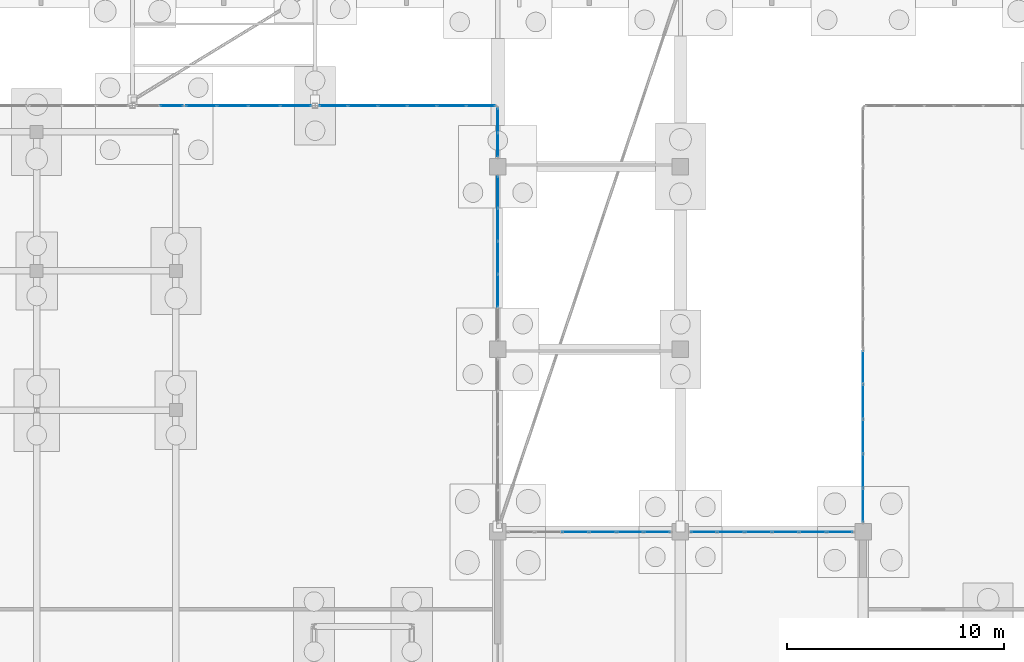
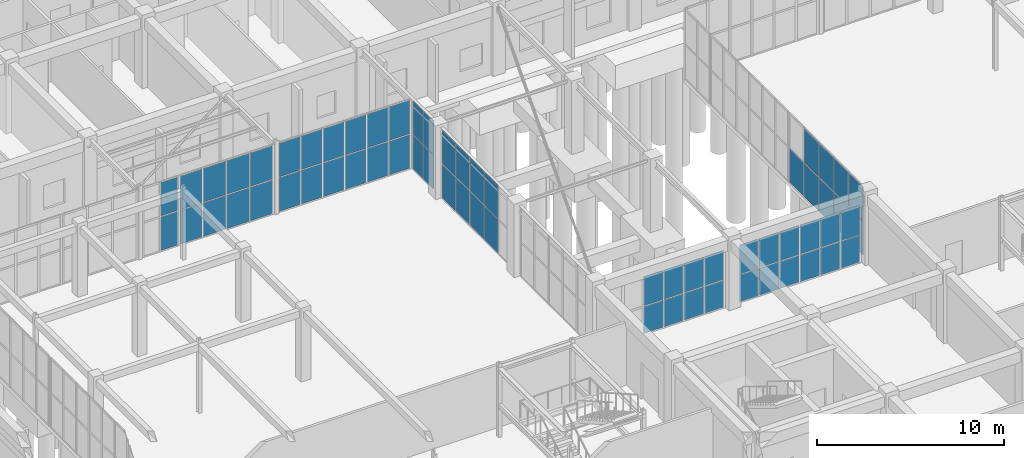
# One storey, part 141 of 192: 63 plates, 8 elements without a shape of their own.
"""IFC4 building model written with IfcOpenShell, lengths in metres."""

from ifc_helpers import new_model, si_unit, direction, frame, origin, origin_2d, place, context, subcontext, project, spatial, rectangle, extrude, material, layer, layer_set, type_object, element, aggregate, save


model = new_model("IFC4")

# Units and contexts
model_context = context("Model", 3, precision=1e-05, world=origin(), true_north=direction((0.0, 1.0)))
body_context = subcontext(model_context, "Body", "Model", "MODEL_VIEW")
ifc_project = project(units=[si_unit("LENGTHUNIT", "METRE"), si_unit("AREAUNIT", "SQUARE_METRE"), si_unit("VOLUMEUNIT", "CUBIC_METRE"), si_unit("PLANEANGLEUNIT", "RADIAN"), si_unit("MASSUNIT", "GRAM", prefix="KILO")], contexts=[model_context])

# Site, building, storey
site_placement = place(None, origin())
site = spatial("IfcSite", under=ifc_project, at=site_placement, CompositionType="ELEMENT")
building_placement = place(site_placement, origin())
building = spatial("IfcBuilding", under=site, at=building_placement, Name="Trelvath General Hospital", CompositionType="ELEMENT")
storey_placement = place(building_placement, origin())
storey = spatial("IfcBuildingStorey", under=building, at=storey_placement, Name="L00", CompositionType="ELEMENT", Elevation=0.0)

# Curtain wall, plates
ifc_material_1 = material(Name="Anodised aluminium and low-E glass", Category="aluminium")
ifc_layer_1 = layer(ifc_material_1, 0.139892578125)
ifc_layer_set_1 = layer_set([ifc_layer_1], Name="Anodised aluminium and low-E glass")
curtain_wall_type_1 = type_object("IfcCurtainWallType", Name="CW CrystalCube 223 456 14", PredefinedType="USERDEFINED", material=ifc_layer_set_1)
curtain_wall_1_placement = place(storey_placement, origin())
curtain_wall_1 = element("IfcCurtainWall", 1, at=curtain_wall_1_placement, inside=storey, type_object=curtain_wall_type_1, Name="Crystal Cube Curtain Wall CUBE-W-T0 N3 L00", ObjectType="Unitised Glazed Curtain Wall", PredefinedType="USERDEFINED")
ifc_material_2 = material(Name="Low-E laminated glass", Category="glass")
ifc_layer_2 = layer(ifc_material_2, 0.028076171875)
ifc_layer_set_2 = layer_set([ifc_layer_2], Name="Low-E laminated glass")
plate_type_1 = type_object("IfcPlateType", Name="CurtainPanel Glass28", PredefinedType="CURTAIN_PANEL", material=ifc_layer_set_2)
plate_1_placement = place(storey_placement, frame((60.607421875, 86.800048828125, 0.06005859375), z_axis=(0.0, 0.0, 1.0), x_axis=(1.0, 0.0, 0.0)))
plate_1 = element("IfcPlate", 2, at=plate_1_placement, type_object=plate_type_1, Name="CW-091 panel 2.1", PredefinedType="CURTAIN_PANEL", context=body_context, shape_type="SweptSolid", body=[
    extrude(rectangle(XDim=1.02490234375, YDim=0.028076171875, at=origin_2d()), origin(), (0.0, 0.0, 1.0), 2.18994140625),
])
plate_2_placement = place(storey_placement, frame((60.607421875, 86.800048828125, 2.31005859375), z_axis=(0.0, 0.0, 1.0), x_axis=(1.0, 0.0, 0.0)))
plate_2 = element("IfcPlate", 3, at=plate_2_placement, type_object=plate_type_1, Name="CW-091 panel 2.2", PredefinedType="CURTAIN_PANEL", context=body_context, shape_type="SweptSolid", body=[
    extrude(rectangle(XDim=1.02490234375, YDim=0.028076171875, at=origin_2d()), origin(), (0.0, 0.0, 1.0), 2.18994140625),
])
aggregate(curtain_wall_1, [plate_1, plate_2])

ifc_material_3 = material(Name="Anodised aluminium and low-E glass", Category="aluminium")
ifc_layer_3 = layer(ifc_material_3, 0.139892578125)
ifc_layer_set_3 = layer_set([ifc_layer_3], Name="Anodised aluminium and low-E glass")
curtain_wall_type_2 = type_object("IfcCurtainWallType", Name="CW CrystalCube 583 456 14", PredefinedType="USERDEFINED", material=ifc_layer_set_3)
curtain_wall_2_placement = place(storey_placement, origin())
curtain_wall_2 = element("IfcCurtainWall", 4, at=curtain_wall_2_placement, inside=storey, type_object=curtain_wall_type_2, Name="Crystal Cube Curtain Wall CUBE-W-T0 N4 L00", ObjectType="Unitised Glazed Curtain Wall", PredefinedType="USERDEFINED")
plate_3_placement = place(storey_placement, frame((61.9638671875, 86.800048828125, 0.06005859375), z_axis=(0.0, 0.0, 1.0), x_axis=(1.0, 0.0, 0.0)))
plate_3 = element("IfcPlate", 5, at=plate_3_placement, type_object=plate_type_1, Name="CW-092 panel 1.1", PredefinedType="CURTAIN_PANEL", context=body_context, shape_type="SweptSolid", body=[
    extrude(rectangle(XDim=1.367431640625, YDim=0.028076171875, at=origin_2d()), origin(), (0.0, 0.0, 1.0), 2.18994140625),
])
plate_4_placement = place(storey_placement, frame((61.9638671875, 86.800048828125, 2.31005859375), z_axis=(0.0, 0.0, 1.0), x_axis=(1.0, 0.0, 0.0)))
plate_4 = element("IfcPlate", 6, at=plate_4_placement, type_object=plate_type_1, Name="CW-092 panel 1.2", PredefinedType="CURTAIN_PANEL", context=body_context, shape_type="SweptSolid", body=[
    extrude(rectangle(XDim=1.367431640625, YDim=0.028076171875, at=origin_2d()), origin(), (0.0, 0.0, 1.0), 2.18994140625),
])
plate_5_placement = place(storey_placement, frame((63.40625, 86.800048828125, 0.06005859375), z_axis=(0.0, 0.0, 1.0), x_axis=(1.0, 0.0, 0.0)))
plate_5 = element("IfcPlate", 7, at=plate_5_placement, type_object=plate_type_1, Name="CW-092 panel 2.1", PredefinedType="CURTAIN_PANEL", context=body_context, shape_type="SweptSolid", body=[
    extrude(rectangle(XDim=1.3974609375, YDim=0.028076171875, at=origin_2d()), origin(), (0.0, 0.0, 1.0), 2.18994140625),
])
plate_6_placement = place(storey_placement, frame((63.40625, 86.800048828125, 2.31005859375), z_axis=(0.0, 0.0, 1.0), x_axis=(1.0, 0.0, 0.0)))
plate_6 = element("IfcPlate", 8, at=plate_6_placement, type_object=plate_type_1, Name="CW-092 panel 2.2", PredefinedType="CURTAIN_PANEL", context=body_context, shape_type="SweptSolid", body=[
    extrude(rectangle(XDim=1.3974609375, YDim=0.028076171875, at=origin_2d()), origin(), (0.0, 0.0, 1.0), 2.18994140625),
])
plate_7_placement = place(storey_placement, frame((64.86376953125, 86.800048828125, 0.06005859375), z_axis=(0.0, 0.0, 1.0), x_axis=(1.0, 0.0, 0.0)))
plate_7 = element("IfcPlate", 9, at=plate_7_placement, type_object=plate_type_1, Name="CW-092 panel 3.1", PredefinedType="CURTAIN_PANEL", context=body_context, shape_type="SweptSolid", body=[
    extrude(rectangle(XDim=1.3974609375, YDim=0.028076171875, at=origin_2d()), origin(), (0.0, 0.0, 1.0), 2.18994140625),
])
plate_8_placement = place(storey_placement, frame((64.86376953125, 86.800048828125, 2.31005859375), z_axis=(0.0, 0.0, 1.0), x_axis=(1.0, 0.0, 0.0)))
plate_8 = element("IfcPlate", 10, at=plate_8_placement, type_object=plate_type_1, Name="CW-092 panel 3.2", PredefinedType="CURTAIN_PANEL", context=body_context, shape_type="SweptSolid", body=[
    extrude(rectangle(XDim=1.3974609375, YDim=0.028076171875, at=origin_2d()), origin(), (0.0, 0.0, 1.0), 2.18994140625),
])
plate_9_placement = place(storey_placement, frame((66.30615234375, 86.800048828125, 0.06005859375), z_axis=(0.0, 0.0, 1.0), x_axis=(1.0, 0.0, 0.0)))
plate_9 = element("IfcPlate", 11, at=plate_9_placement, type_object=plate_type_1, Name="CW-092 panel 4.1", PredefinedType="CURTAIN_PANEL", context=body_context, shape_type="SweptSolid", body=[
    extrude(rectangle(XDim=1.367431640625, YDim=0.028076171875, at=origin_2d()), origin(), (0.0, 0.0, 1.0), 2.18994140625),
])
plate_10_placement = place(storey_placement, frame((66.30615234375, 86.800048828125, 2.31005859375), z_axis=(0.0, 0.0, 1.0), x_axis=(1.0, 0.0, 0.0)))
plate_10 = element("IfcPlate", 12, at=plate_10_placement, type_object=plate_type_1, Name="CW-092 panel 4.2", PredefinedType="CURTAIN_PANEL", context=body_context, shape_type="SweptSolid", body=[
    extrude(rectangle(XDim=1.367431640625, YDim=0.028076171875, at=origin_2d()), origin(), (0.0, 0.0, 1.0), 2.18994140625),
])
aggregate(curtain_wall_2, [plate_3, plate_4, plate_5, plate_6, plate_7, plate_8, plate_9, plate_10])

ifc_material_4 = material(Name="Anodised aluminium and low-E glass", Category="aluminium")
ifc_layer_4 = layer(ifc_material_4, 0.139892578125)
ifc_layer_set_4 = layer_set([ifc_layer_4], Name="Anodised aluminium and low-E glass")
curtain_wall_type_3 = type_object("IfcCurtainWallType", Name="CW CrystalCube 817 456 14", PredefinedType="USERDEFINED", material=ifc_layer_set_4)
curtain_wall_3_placement = place(storey_placement, origin())
curtain_wall_3 = element("IfcCurtainWall", 13, at=curtain_wall_3_placement, inside=storey, type_object=curtain_wall_type_3, Name="Crystal Cube Curtain Wall CUBE-W-T0 N5 L00", ObjectType="Unitised Glazed Curtain Wall", PredefinedType="USERDEFINED")
plate_11_placement = place(storey_placement, frame((68.0458984375, 86.800048828125, 0.06005859375), z_axis=(0.0, 0.0, 1.0), x_axis=(1.0, 0.0, 0.0)))
plate_11 = element("IfcPlate", 14, at=plate_11_placement, type_object=plate_type_1, Name="CW-093 panel 1.1", PredefinedType="CURTAIN_PANEL", context=body_context, shape_type="SweptSolid", body=[
    extrude(rectangle(XDim=1.271728515625, YDim=0.028076171875, at=origin_2d()), origin(), (0.0, 0.0, 1.0), 2.18994140625),
])
plate_12_placement = place(storey_placement, frame((68.0458984375, 86.800048828125, 2.31005859375), z_axis=(0.0, 0.0, 1.0), x_axis=(1.0, 0.0, 0.0)))
plate_12 = element("IfcPlate", 15, at=plate_12_placement, type_object=plate_type_1, Name="CW-093 panel 1.2", PredefinedType="CURTAIN_PANEL", context=body_context, shape_type="SweptSolid", body=[
    extrude(rectangle(XDim=1.271728515625, YDim=0.028076171875, at=origin_2d()), origin(), (0.0, 0.0, 1.0), 2.18994140625),
])
plate_13_placement = place(storey_placement, frame((69.392578125, 86.800048828125, 0.06005859375), z_axis=(0.0, 0.0, 1.0), x_axis=(1.0, 0.0, 0.0)))
plate_13 = element("IfcPlate", 16, at=plate_13_placement, type_object=plate_type_1, Name="CW-093 panel 2.1", PredefinedType="CURTAIN_PANEL", context=body_context, shape_type="SweptSolid", body=[
    extrude(rectangle(XDim=1.3017578125, YDim=0.028076171875, at=origin_2d()), origin(), (0.0, 0.0, 1.0), 2.18994140625),
])
plate_14_placement = place(storey_placement, frame((69.392578125, 86.800048828125, 2.31005859375), z_axis=(0.0, 0.0, 1.0), x_axis=(1.0, 0.0, 0.0)))
plate_14 = element("IfcPlate", 17, at=plate_14_placement, type_object=plate_type_1, Name="CW-093 panel 2.2", PredefinedType="CURTAIN_PANEL", context=body_context, shape_type="SweptSolid", body=[
    extrude(rectangle(XDim=1.3017578125, YDim=0.028076171875, at=origin_2d()), origin(), (0.0, 0.0, 1.0), 2.18994140625),
])
plate_15_placement = place(storey_placement, frame((70.754150390625, 86.800048828125, 0.06005859375), z_axis=(0.0, 0.0, 1.0), x_axis=(1.0, 0.0, 0.0)))
plate_15 = element("IfcPlate", 18, at=plate_15_placement, type_object=plate_type_1, Name="CW-093 panel 3.1", PredefinedType="CURTAIN_PANEL", context=body_context, shape_type="SweptSolid", body=[
    extrude(rectangle(XDim=1.3017578125, YDim=0.028076171875, at=origin_2d()), origin(), (0.0, 0.0, 1.0), 2.18994140625),
])
plate_16_placement = place(storey_placement, frame((70.754150390625, 86.800048828125, 2.31005859375), z_axis=(0.0, 0.0, 1.0), x_axis=(1.0, 0.0, 0.0)))
plate_16 = element("IfcPlate", 19, at=plate_16_placement, type_object=plate_type_1, Name="CW-093 panel 3.2", PredefinedType="CURTAIN_PANEL", context=body_context, shape_type="SweptSolid", body=[
    extrude(rectangle(XDim=1.3017578125, YDim=0.028076171875, at=origin_2d()), origin(), (0.0, 0.0, 1.0), 2.18994140625),
])
plate_17_placement = place(storey_placement, frame((72.11572265625, 86.800048828125, 0.06005859375), z_axis=(0.0, 0.0, 1.0), x_axis=(1.0, 0.0, 0.0)))
plate_17 = element("IfcPlate", 20, at=plate_17_placement, type_object=plate_type_1, Name="CW-093 panel 4.1", PredefinedType="CURTAIN_PANEL", context=body_context, shape_type="SweptSolid", body=[
    extrude(rectangle(XDim=1.3017578125, YDim=0.028076171875, at=origin_2d()), origin(), (0.0, 0.0, 1.0), 2.18994140625),
])
plate_18_placement = place(storey_placement, frame((72.11572265625, 86.800048828125, 2.31005859375), z_axis=(0.0, 0.0, 1.0), x_axis=(1.0, 0.0, 0.0)))
plate_18 = element("IfcPlate", 21, at=plate_18_placement, type_object=plate_type_1, Name="CW-093 panel 4.2", PredefinedType="CURTAIN_PANEL", context=body_context, shape_type="SweptSolid", body=[
    extrude(rectangle(XDim=1.3017578125, YDim=0.028076171875, at=origin_2d()), origin(), (0.0, 0.0, 1.0), 2.18994140625),
])
plate_19_placement = place(storey_placement, frame((73.4775390625, 86.800048828125, 0.06005859375), z_axis=(0.0, 0.0, 1.0), x_axis=(1.0, 0.0, 0.0)))
plate_19 = element("IfcPlate", 22, at=plate_19_placement, type_object=plate_type_1, Name="CW-093 panel 5.1", PredefinedType="CURTAIN_PANEL", context=body_context, shape_type="SweptSolid", body=[
    extrude(rectangle(XDim=1.3017578125, YDim=0.028076171875, at=origin_2d()), origin(), (0.0, 0.0, 1.0), 2.18994140625),
])
plate_20_placement = place(storey_placement, frame((73.4775390625, 86.800048828125, 2.31005859375), z_axis=(0.0, 0.0, 1.0), x_axis=(1.0, 0.0, 0.0)))
plate_20 = element("IfcPlate", 23, at=plate_20_placement, type_object=plate_type_1, Name="CW-093 panel 5.2", PredefinedType="CURTAIN_PANEL", context=body_context, shape_type="SweptSolid", body=[
    extrude(rectangle(XDim=1.3017578125, YDim=0.028076171875, at=origin_2d()), origin(), (0.0, 0.0, 1.0), 2.18994140625),
])
plate_21_placement = place(storey_placement, frame((74.82421875, 86.800048828125, 0.06005859375), z_axis=(0.0, 0.0, 1.0), x_axis=(1.0, 0.0, 0.0)))
plate_21 = element("IfcPlate", 24, at=plate_21_placement, type_object=plate_type_1, Name="CW-093 panel 6.1", PredefinedType="CURTAIN_PANEL", context=body_context, shape_type="SweptSolid", body=[
    extrude(rectangle(XDim=1.271728515625, YDim=0.028076171875, at=origin_2d()), origin(), (0.0, 0.0, 1.0), 2.18994140625),
])
plate_22_placement = place(storey_placement, frame((74.82421875, 86.800048828125, 2.31005859375), z_axis=(0.0, 0.0, 1.0), x_axis=(1.0, 0.0, 0.0)))
plate_22 = element("IfcPlate", 25, at=plate_22_placement, type_object=plate_type_1, Name="CW-093 panel 6.2", PredefinedType="CURTAIN_PANEL", context=body_context, shape_type="SweptSolid", body=[
    extrude(rectangle(XDim=1.271728515625, YDim=0.028076171875, at=origin_2d()), origin(), (0.0, 0.0, 1.0), 2.18994140625),
])
aggregate(curtain_wall_3, [plate_11, plate_12, plate_13, plate_14, plate_15, plate_16, plate_17, plate_18, plate_19, plate_20, plate_21, plate_22])

ifc_material_5 = material(Name="Anodised aluminium and low-E glass", Category="aluminium")
ifc_layer_5 = layer(ifc_material_5, 0.139892578125)
ifc_layer_set_5 = layer_set([ifc_layer_5], Name="Anodised aluminium and low-E glass")
curtain_wall_type_4 = type_object("IfcCurtainWallType", Name="CW CrystalCube 758 456 14", PredefinedType="USERDEFINED", material=ifc_layer_set_5)
curtain_wall_4_placement = place(storey_placement, origin())
curtain_wall_4 = element("IfcCurtainWall", 26, at=curtain_wall_4_placement, inside=storey, type_object=curtain_wall_type_4, Name="Crystal Cube Curtain Wall CUBE-W-T0 E6 L00", ObjectType="Unitised Glazed Curtain Wall", PredefinedType="USERDEFINED")
plate_23_placement = place(storey_placement, frame((75.60009765625, 82.81689453125, 0.06005859375), z_axis=(0.0, 0.0, 1.0), x_axis=(0.0, -1.0, 0.0)))
plate_23 = element("IfcPlate", 27, at=plate_23_placement, type_object=plate_type_1, Name="CW-103 panel 1.1", PredefinedType="CURTAIN_PANEL", context=body_context, shape_type="SweptSolid", body=[
    extrude(rectangle(XDim=1.426025390625, YDim=0.028076171875, at=origin_2d()), origin(), (0.0, 0.0, 1.0), 2.18994140625),
])
plate_24_placement = place(storey_placement, frame((75.60009765625, 82.81689453125, 2.31005859375), z_axis=(0.0, 0.0, 1.0), x_axis=(0.0, -1.0, 0.0)))
plate_24 = element("IfcPlate", 28, at=plate_24_placement, type_object=plate_type_1, Name="CW-103 panel 1.2", PredefinedType="CURTAIN_PANEL", context=body_context, shape_type="SweptSolid", body=[
    extrude(rectangle(XDim=1.426025390625, YDim=0.028076171875, at=origin_2d()), origin(), (0.0, 0.0, 1.0), 2.18994140625),
])
plate_25_placement = place(storey_placement, frame((75.60009765625, 81.31591796875, 0.06005859375), z_axis=(0.0, 0.0, 1.0), x_axis=(0.0, -1.0, 0.0)))
plate_25 = element("IfcPlate", 29, at=plate_25_placement, type_object=plate_type_1, Name="CW-103 panel 2.1", PredefinedType="CURTAIN_PANEL", context=body_context, shape_type="SweptSolid", body=[
    extrude(rectangle(XDim=1.4560546875, YDim=0.028076171875, at=origin_2d()), origin(), (0.0, 0.0, 1.0), 2.18994140625),
])
plate_26_placement = place(storey_placement, frame((75.60009765625, 81.31591796875, 2.31005859375), z_axis=(0.0, 0.0, 1.0), x_axis=(0.0, -1.0, 0.0)))
plate_26 = element("IfcPlate", 30, at=plate_26_placement, type_object=plate_type_1, Name="CW-103 panel 2.2", PredefinedType="CURTAIN_PANEL", context=body_context, shape_type="SweptSolid", body=[
    extrude(rectangle(XDim=1.4560546875, YDim=0.028076171875, at=origin_2d()), origin(), (0.0, 0.0, 1.0), 2.18994140625),
])
plate_27_placement = place(storey_placement, frame((75.60009765625, 79.800048828125, 0.06005859375), z_axis=(0.0, 0.0, 1.0), x_axis=(0.0, -1.0, 0.0)))
plate_27 = element("IfcPlate", 31, at=plate_27_placement, type_object=plate_type_1, Name="CW-103 panel 3.1", PredefinedType="CURTAIN_PANEL", context=body_context, shape_type="SweptSolid", body=[
    extrude(rectangle(XDim=1.4560546875, YDim=0.028076171875, at=origin_2d()), origin(), (0.0, 0.0, 1.0), 2.18994140625),
])
plate_28_placement = place(storey_placement, frame((75.60009765625, 79.800048828125, 2.31005859375), z_axis=(0.0, 0.0, 1.0), x_axis=(0.0, -1.0, 0.0)))
plate_28 = element("IfcPlate", 32, at=plate_28_placement, type_object=plate_type_1, Name="CW-103 panel 3.2", PredefinedType="CURTAIN_PANEL", context=body_context, shape_type="SweptSolid", body=[
    extrude(rectangle(XDim=1.4560546875, YDim=0.028076171875, at=origin_2d()), origin(), (0.0, 0.0, 1.0), 2.18994140625),
])
plate_29_placement = place(storey_placement, frame((75.60009765625, 78.283935546875, 0.06005859375), z_axis=(0.0, 0.0, 1.0), x_axis=(0.0, -1.0, 0.0)))
plate_29 = element("IfcPlate", 33, at=plate_29_placement, type_object=plate_type_1, Name="CW-103 panel 4.1", PredefinedType="CURTAIN_PANEL", context=body_context, shape_type="SweptSolid", body=[
    extrude(rectangle(XDim=1.4560546875, YDim=0.028076171875, at=origin_2d()), origin(), (0.0, 0.0, 1.0), 2.18994140625),
])
plate_30_placement = place(storey_placement, frame((75.60009765625, 78.283935546875, 2.31005859375), z_axis=(0.0, 0.0, 1.0), x_axis=(0.0, -1.0, 0.0)))
plate_30 = element("IfcPlate", 34, at=plate_30_placement, type_object=plate_type_1, Name="CW-103 panel 4.2", PredefinedType="CURTAIN_PANEL", context=body_context, shape_type="SweptSolid", body=[
    extrude(rectangle(XDim=1.4560546875, YDim=0.028076171875, at=origin_2d()), origin(), (0.0, 0.0, 1.0), 2.18994140625),
])
aggregate(curtain_wall_4, [plate_23, plate_24, plate_25, plate_26, plate_27, plate_28, plate_29, plate_30])

ifc_material_6 = material(Name="Anodised aluminium and low-E glass", Category="aluminium")
ifc_layer_6 = layer(ifc_material_6, 0.139892578125)
ifc_layer_set_6 = layer_set([ifc_layer_6], Name="Anodised aluminium and low-E glass")
curtain_wall_type_5 = type_object("IfcCurtainWallType", Name="CW CrystalCube 231 456 14", PredefinedType="USERDEFINED", material=ifc_layer_set_6)
curtain_wall_5_placement = place(storey_placement, origin())
curtain_wall_5 = element("IfcCurtainWall", 35, at=curtain_wall_5_placement, inside=storey, type_object=curtain_wall_type_5, Name="Crystal Cube Curtain Wall CUBE-W-T0 E7 L00", ObjectType="Unitised Glazed Curtain Wall", PredefinedType="USERDEFINED")
plate_31_placement = place(storey_placement, frame((75.60009765625, 86.12744140625, 0.06005859375), z_axis=(0.0, 0.0, 1.0), x_axis=(0.0, -1.0, 0.0)))
plate_31 = element("IfcPlate", 36, at=plate_31_placement, type_object=plate_type_1, Name="CW-105 panel 1.1", PredefinedType="CURTAIN_PANEL", context=body_context, shape_type="SweptSolid", body=[
    extrude(rectangle(XDim=1.06494140625, YDim=0.028076171875, at=origin_2d()), origin(), (0.0, 0.0, 1.0), 2.18994140625),
])
plate_32_placement = place(storey_placement, frame((75.60009765625, 86.12744140625, 2.31005859375), z_axis=(0.0, 0.0, 1.0), x_axis=(0.0, -1.0, 0.0)))
plate_32 = element("IfcPlate", 37, at=plate_32_placement, type_object=plate_type_1, Name="CW-105 panel 1.2", PredefinedType="CURTAIN_PANEL", context=body_context, shape_type="SweptSolid", body=[
    extrude(rectangle(XDim=1.06494140625, YDim=0.028076171875, at=origin_2d()), origin(), (0.0, 0.0, 1.0), 2.18994140625),
])
plate_33_placement = place(storey_placement, frame((75.60009765625, 85.00244140625, 0.06005859375), z_axis=(0.0, 0.0, 1.0), x_axis=(0.0, -1.0, 0.0)))
plate_33 = element("IfcPlate", 38, at=plate_33_placement, type_object=plate_type_1, Name="CW-105 panel 2.1", PredefinedType="CURTAIN_PANEL", context=body_context, shape_type="SweptSolid", body=[
    extrude(rectangle(XDim=1.06494140625, YDim=0.028076171875, at=origin_2d()), origin(), (0.0, 0.0, 1.0), 2.18994140625),
])
plate_34_placement = place(storey_placement, frame((75.60009765625, 85.00244140625, 2.31005859375), z_axis=(0.0, 0.0, 1.0), x_axis=(0.0, -1.0, 0.0)))
plate_34 = element("IfcPlate", 39, at=plate_34_placement, type_object=plate_type_1, Name="CW-105 panel 2.2", PredefinedType="CURTAIN_PANEL", context=body_context, shape_type="SweptSolid", body=[
    extrude(rectangle(XDim=1.06494140625, YDim=0.028076171875, at=origin_2d()), origin(), (0.0, 0.0, 1.0), 2.18994140625),
])
aggregate(curtain_wall_5, [plate_31, plate_32, plate_33, plate_34])

ifc_material_7 = material(Name="Anodised aluminium and low-E glass", Category="aluminium")
ifc_layer_7 = layer(ifc_material_7, 0.139892578125)
ifc_layer_set_7 = layer_set([ifc_layer_7], Name="Anodised aluminium and low-E glass")
curtain_wall_type_6 = type_object("IfcCurtainWallType", Name="CW CrystalCube 797 456 14", PredefinedType="USERDEFINED", material=ifc_layer_set_7)
curtain_wall_6_placement = place(storey_placement, origin())
curtain_wall_6 = element("IfcCurtainWall", 40, at=curtain_wall_6_placement, inside=storey, type_object=curtain_wall_type_6, Name="Crystal Cube Curtain Wall CUBE-E-T0 W5 L00", ObjectType="Unitised Glazed Curtain Wall", PredefinedType="USERDEFINED")
plate_35_placement = place(storey_placement, frame((92.39990234375, 68.422119140625, 0.06005859375), z_axis=(0.0, 0.0, 1.0), x_axis=(0.0, 1.0, 0.0)))
plate_35 = element("IfcPlate", 41, at=plate_35_placement, type_object=plate_type_1, Name="CW-123 panel 1.1", PredefinedType="CURTAIN_PANEL", context=body_context, shape_type="SweptSolid", body=[
    extrude(rectangle(XDim=1.50390625, YDim=0.028076171875, at=origin_2d()), origin(), (0.0, 0.0, 1.0), 2.18994140625),
])
plate_36_placement = place(storey_placement, frame((92.39990234375, 68.422119140625, 2.31005859375), z_axis=(0.0, 0.0, 1.0), x_axis=(0.0, 1.0, 0.0)))
plate_36 = element("IfcPlate", 42, at=plate_36_placement, type_object=plate_type_1, Name="CW-123 panel 1.2", PredefinedType="CURTAIN_PANEL", context=body_context, shape_type="SweptSolid", body=[
    extrude(rectangle(XDim=1.50390625, YDim=0.028076171875, at=origin_2d()), origin(), (0.0, 0.0, 1.0), 2.18994140625),
])
plate_37_placement = place(storey_placement, frame((92.39990234375, 70.0009765625, 0.06005859375), z_axis=(0.0, 0.0, 1.0), x_axis=(0.0, 1.0, 0.0)))
plate_37 = element("IfcPlate", 43, at=plate_37_placement, type_object=plate_type_1, Name="CW-123 panel 2.1", PredefinedType="CURTAIN_PANEL", context=body_context, shape_type="SweptSolid", body=[
    extrude(rectangle(XDim=1.533935546875, YDim=0.028076171875, at=origin_2d()), origin(), (0.0, 0.0, 1.0), 2.18994140625),
])
plate_38_placement = place(storey_placement, frame((92.39990234375, 70.0009765625, 2.31005859375), z_axis=(0.0, 0.0, 1.0), x_axis=(0.0, 1.0, 0.0)))
plate_38 = element("IfcPlate", 44, at=plate_38_placement, type_object=plate_type_1, Name="CW-123 panel 2.2", PredefinedType="CURTAIN_PANEL", context=body_context, shape_type="SweptSolid", body=[
    extrude(rectangle(XDim=1.533935546875, YDim=0.028076171875, at=origin_2d()), origin(), (0.0, 0.0, 1.0), 2.18994140625),
])
plate_39_placement = place(storey_placement, frame((92.39990234375, 71.594970703125, 0.06005859375), z_axis=(0.0, 0.0, 1.0), x_axis=(0.0, 1.0, 0.0)))
plate_39 = element("IfcPlate", 45, at=plate_39_placement, type_object=plate_type_1, Name="CW-123 panel 3.1", PredefinedType="CURTAIN_PANEL", context=body_context, shape_type="SweptSolid", body=[
    extrude(rectangle(XDim=1.533935546875, YDim=0.028076171875, at=origin_2d()), origin(), (0.0, 0.0, 1.0), 2.18994140625),
])
plate_40_placement = place(storey_placement, frame((92.39990234375, 71.594970703125, 2.31005859375), z_axis=(0.0, 0.0, 1.0), x_axis=(0.0, 1.0, 0.0)))
plate_40 = element("IfcPlate", 46, at=plate_40_placement, type_object=plate_type_1, Name="CW-123 panel 3.2", PredefinedType="CURTAIN_PANEL", context=body_context, shape_type="SweptSolid", body=[
    extrude(rectangle(XDim=1.533935546875, YDim=0.028076171875, at=origin_2d()), origin(), (0.0, 0.0, 1.0), 2.18994140625),
])
plate_41_placement = place(storey_placement, frame((92.39990234375, 73.18896484375, 0.06005859375), z_axis=(0.0, 0.0, 1.0), x_axis=(0.0, 1.0, 0.0)))
plate_41 = element("IfcPlate", 47, at=plate_41_placement, type_object=plate_type_1, Name="CW-123 panel 4.1", PredefinedType="CURTAIN_PANEL", context=body_context, shape_type="SweptSolid", body=[
    extrude(rectangle(XDim=1.533935546875, YDim=0.028076171875, at=origin_2d()), origin(), (0.0, 0.0, 1.0), 2.18994140625),
])
plate_42_placement = place(storey_placement, frame((92.39990234375, 73.18896484375, 2.31005859375), z_axis=(0.0, 0.0, 1.0), x_axis=(0.0, 1.0, 0.0)))
plate_42 = element("IfcPlate", 48, at=plate_42_placement, type_object=plate_type_1, Name="CW-123 panel 4.2", PredefinedType="CURTAIN_PANEL", context=body_context, shape_type="SweptSolid", body=[
    extrude(rectangle(XDim=1.533935546875, YDim=0.028076171875, at=origin_2d()), origin(), (0.0, 0.0, 1.0), 2.18994140625),
])
plate_43_placement = place(storey_placement, frame((92.39990234375, 74.76806640625, 0.06005859375), z_axis=(0.0, 0.0, 1.0), x_axis=(0.0, 1.0, 0.0)))
plate_43 = element("IfcPlate", 49, at=plate_43_placement, type_object=plate_type_1, Name="CW-123 panel 5.1", PredefinedType="CURTAIN_PANEL", context=body_context, shape_type="SweptSolid", body=[
    extrude(rectangle(XDim=1.50390625, YDim=0.028076171875, at=origin_2d()), origin(), (0.0, 0.0, 1.0), 2.18994140625),
])
aggregate(curtain_wall_6, [plate_35, plate_36, plate_37, plate_38, plate_39, plate_40, plate_41, plate_42, plate_43])

ifc_material_8 = material(Name="Anodised aluminium and low-E glass", Category="aluminium")
ifc_layer_8 = layer(ifc_material_8, 0.159912109375)
ifc_layer_set_8 = layer_set([ifc_layer_8], Name="Anodised aluminium and low-E glass")
curtain_wall_type_7 = type_object("IfcCurtainWallType", Name="CW Facade 753 382 16", PredefinedType="USERDEFINED", material=ifc_layer_set_8)
curtain_wall_7_placement = place(storey_placement, origin())
curtain_wall_7 = element("IfcCurtainWall", 50, at=curtain_wall_7_placement, inside=storey, type_object=curtain_wall_type_7, Name="Facade Curtain Wall CW-002", ObjectType="Unitised Glazed Curtain Wall", PredefinedType="USERDEFINED")
ifc_material_9 = material(Name="Low-E laminated glass", Category="glass")
ifc_layer_9 = layer(ifc_material_9, 0.035888671875)
ifc_layer_set_9 = layer_set([ifc_layer_9], Name="Low-E laminated glass")
plate_type_2 = type_object("IfcPlateType", Name="CurtainPanel Glass36", PredefinedType="CURTAIN_PANEL", material=ifc_layer_set_9)
plate_44_placement = place(storey_placement, frame((79.172607421875, 67.199951171875, 0.06005859375), z_axis=(0.0, 0.0, 1.0), x_axis=(1.0, 0.0, 0.0)))
plate_44 = element("IfcPlate", 51, at=plate_44_placement, type_object=plate_type_2, Name="CW-002 panel 3.1", PredefinedType="CURTAIN_PANEL", context=body_context, shape_type="SweptSolid", body=[
    extrude(rectangle(XDim=1.195068359375, YDim=0.035888671875, at=origin_2d()), origin(), (0.0, 0.0, 1.0), 1.743896484375),
])
plate_45_placement = place(storey_placement, frame((79.172607421875, 67.199951171875, 1.864013671875), z_axis=(0.0, 0.0, 1.0), x_axis=(1.0, 0.0, 0.0)))
plate_45 = element("IfcPlate", 52, at=plate_45_placement, type_object=plate_type_2, Name="CW-002 panel 3.2", PredefinedType="CURTAIN_PANEL", context=body_context, shape_type="SweptSolid", body=[
    extrude(rectangle(XDim=1.195068359375, YDim=0.035888671875, at=origin_2d()), origin(), (0.0, 0.0, 1.0), 1.89599609375),
])
plate_46_placement = place(storey_placement, frame((80.427490234375, 67.199951171875, 0.06005859375), z_axis=(0.0, 0.0, 1.0), x_axis=(1.0, 0.0, 0.0)))
plate_46 = element("IfcPlate", 53, at=plate_46_placement, type_object=plate_type_2, Name="CW-002 panel 4.1", PredefinedType="CURTAIN_PANEL", context=body_context, shape_type="SweptSolid", body=[
    extrude(rectangle(XDim=1.195068359375, YDim=0.035888671875, at=origin_2d()), origin(), (0.0, 0.0, 1.0), 1.743896484375),
])
plate_47_placement = place(storey_placement, frame((80.427490234375, 67.199951171875, 1.864013671875), z_axis=(0.0, 0.0, 1.0), x_axis=(1.0, 0.0, 0.0)))
plate_47 = element("IfcPlate", 54, at=plate_47_placement, type_object=plate_type_2, Name="CW-002 panel 4.2", PredefinedType="CURTAIN_PANEL", context=body_context, shape_type="SweptSolid", body=[
    extrude(rectangle(XDim=1.195068359375, YDim=0.035888671875, at=origin_2d()), origin(), (0.0, 0.0, 1.0), 1.89599609375),
])
plate_48_placement = place(storey_placement, frame((81.6826171875, 67.199951171875, 0.06005859375), z_axis=(0.0, 0.0, 1.0), x_axis=(1.0, 0.0, 0.0)))
plate_48 = element("IfcPlate", 55, at=plate_48_placement, type_object=plate_type_2, Name="CW-002 panel 5.1", PredefinedType="CURTAIN_PANEL", context=body_context, shape_type="SweptSolid", body=[
    extrude(rectangle(XDim=1.195068359375, YDim=0.035888671875, at=origin_2d()), origin(), (0.0, 0.0, 1.0), 1.743896484375),
])
plate_49_placement = place(storey_placement, frame((81.6826171875, 67.199951171875, 1.864013671875), z_axis=(0.0, 0.0, 1.0), x_axis=(1.0, 0.0, 0.0)))
plate_49 = element("IfcPlate", 56, at=plate_49_placement, type_object=plate_type_2, Name="CW-002 panel 5.2", PredefinedType="CURTAIN_PANEL", context=body_context, shape_type="SweptSolid", body=[
    extrude(rectangle(XDim=1.195068359375, YDim=0.035888671875, at=origin_2d()), origin(), (0.0, 0.0, 1.0), 1.89599609375),
])
plate_50_placement = place(storey_placement, frame((82.922607421875, 67.199951171875, 0.06005859375), z_axis=(0.0, 0.0, 1.0), x_axis=(1.0, 0.0, 0.0)))
plate_50 = element("IfcPlate", 57, at=plate_50_placement, type_object=plate_type_2, Name="CW-002 panel 6.1", PredefinedType="CURTAIN_PANEL", context=body_context, shape_type="SweptSolid", body=[
    extrude(rectangle(XDim=1.1650390625, YDim=0.035888671875, at=origin_2d()), origin(), (0.0, 0.0, 1.0), 1.743896484375),
])
plate_51_placement = place(storey_placement, frame((82.922607421875, 67.199951171875, 1.864013671875), z_axis=(0.0, 0.0, 1.0), x_axis=(1.0, 0.0, 0.0)))
plate_51 = element("IfcPlate", 58, at=plate_51_placement, type_object=plate_type_2, Name="CW-002 panel 6.2", PredefinedType="CURTAIN_PANEL", context=body_context, shape_type="SweptSolid", body=[
    extrude(rectangle(XDim=1.1650390625, YDim=0.035888671875, at=origin_2d()), origin(), (0.0, 0.0, 1.0), 1.89599609375),
])
aggregate(curtain_wall_7, [plate_44, plate_45, plate_46, plate_47, plate_48, plate_49, plate_50, plate_51])

curtain_wall_8_placement = place(storey_placement, origin())
curtain_wall_8 = element("IfcCurtainWall", 59, at=curtain_wall_8_placement, inside=storey, type_object=curtain_wall_type_7, Name="Facade Curtain Wall CW-003", ObjectType="Unitised Glazed Curtain Wall", PredefinedType="USERDEFINED")
plate_52_placement = place(storey_placement, frame((85.077392578125, 67.199951171875, 0.06005859375), z_axis=(0.0, 0.0, 1.0), x_axis=(1.0, 0.0, 0.0)))
plate_52 = element("IfcPlate", 60, at=plate_52_placement, type_object=plate_type_2, Name="CW-003 panel 1.1", PredefinedType="CURTAIN_PANEL", context=body_context, shape_type="SweptSolid", body=[
    extrude(rectangle(XDim=1.1650390625, YDim=0.035888671875, at=origin_2d()), origin(), (0.0, 0.0, 1.0), 1.743896484375),
])
plate_53_placement = place(storey_placement, frame((85.077392578125, 67.199951171875, 1.864013671875), z_axis=(0.0, 0.0, 1.0), x_axis=(1.0, 0.0, 0.0)))
plate_53 = element("IfcPlate", 61, at=plate_53_placement, type_object=plate_type_2, Name="CW-003 panel 1.2", PredefinedType="CURTAIN_PANEL", context=body_context, shape_type="SweptSolid", body=[
    extrude(rectangle(XDim=1.1650390625, YDim=0.035888671875, at=origin_2d()), origin(), (0.0, 0.0, 1.0), 1.89599609375),
])
plate_54_placement = place(storey_placement, frame((86.3173828125, 67.199951171875, 0.06005859375), z_axis=(0.0, 0.0, 1.0), x_axis=(1.0, 0.0, 0.0)))
plate_54 = element("IfcPlate", 62, at=plate_54_placement, type_object=plate_type_2, Name="CW-003 panel 2.1", PredefinedType="CURTAIN_PANEL", context=body_context, shape_type="SweptSolid", body=[
    extrude(rectangle(XDim=1.195068359375, YDim=0.035888671875, at=origin_2d()), origin(), (0.0, 0.0, 1.0), 1.743896484375),
])
plate_55_placement = place(storey_placement, frame((86.3173828125, 67.199951171875, 1.864013671875), z_axis=(0.0, 0.0, 1.0), x_axis=(1.0, 0.0, 0.0)))
plate_55 = element("IfcPlate", 63, at=plate_55_placement, type_object=plate_type_2, Name="CW-003 panel 2.2", PredefinedType="CURTAIN_PANEL", context=body_context, shape_type="SweptSolid", body=[
    extrude(rectangle(XDim=1.195068359375, YDim=0.035888671875, at=origin_2d()), origin(), (0.0, 0.0, 1.0), 1.89599609375),
])
plate_56_placement = place(storey_placement, frame((87.572509765625, 67.199951171875, 0.06005859375), z_axis=(0.0, 0.0, 1.0), x_axis=(1.0, 0.0, 0.0)))
plate_56 = element("IfcPlate", 64, at=plate_56_placement, type_object=plate_type_2, Name="CW-003 panel 3.1", PredefinedType="CURTAIN_PANEL", context=body_context, shape_type="SweptSolid", body=[
    extrude(rectangle(XDim=1.195068359375, YDim=0.035888671875, at=origin_2d()), origin(), (0.0, 0.0, 1.0), 1.743896484375),
])
plate_57_placement = place(storey_placement, frame((87.572509765625, 67.199951171875, 1.864013671875), z_axis=(0.0, 0.0, 1.0), x_axis=(1.0, 0.0, 0.0)))
plate_57 = element("IfcPlate", 65, at=plate_57_placement, type_object=plate_type_2, Name="CW-003 panel 3.2", PredefinedType="CURTAIN_PANEL", context=body_context, shape_type="SweptSolid", body=[
    extrude(rectangle(XDim=1.195068359375, YDim=0.035888671875, at=origin_2d()), origin(), (0.0, 0.0, 1.0), 1.89599609375),
])
plate_58_placement = place(storey_placement, frame((88.827392578125, 67.199951171875, 0.06005859375), z_axis=(0.0, 0.0, 1.0), x_axis=(1.0, 0.0, 0.0)))
plate_58 = element("IfcPlate", 66, at=plate_58_placement, type_object=plate_type_2, Name="CW-003 panel 4.1", PredefinedType="CURTAIN_PANEL", context=body_context, shape_type="SweptSolid", body=[
    extrude(rectangle(XDim=1.195068359375, YDim=0.035888671875, at=origin_2d()), origin(), (0.0, 0.0, 1.0), 1.743896484375),
])
plate_59_placement = place(storey_placement, frame((88.827392578125, 67.199951171875, 1.864013671875), z_axis=(0.0, 0.0, 1.0), x_axis=(1.0, 0.0, 0.0)))
plate_59 = element("IfcPlate", 67, at=plate_59_placement, type_object=plate_type_2, Name="CW-003 panel 4.2", PredefinedType="CURTAIN_PANEL", context=body_context, shape_type="SweptSolid", body=[
    extrude(rectangle(XDim=1.195068359375, YDim=0.035888671875, at=origin_2d()), origin(), (0.0, 0.0, 1.0), 1.89599609375),
])
plate_60_placement = place(storey_placement, frame((90.08251953125, 67.199951171875, 0.06005859375), z_axis=(0.0, 0.0, 1.0), x_axis=(1.0, 0.0, 0.0)))
plate_60 = element("IfcPlate", 68, at=plate_60_placement, type_object=plate_type_2, Name="CW-003 panel 5.1", PredefinedType="CURTAIN_PANEL", context=body_context, shape_type="SweptSolid", body=[
    extrude(rectangle(XDim=1.195068359375, YDim=0.035888671875, at=origin_2d()), origin(), (0.0, 0.0, 1.0), 1.743896484375),
])
plate_61_placement = place(storey_placement, frame((90.08251953125, 67.199951171875, 1.864013671875), z_axis=(0.0, 0.0, 1.0), x_axis=(1.0, 0.0, 0.0)))
plate_61 = element("IfcPlate", 69, at=plate_61_placement, type_object=plate_type_2, Name="CW-003 panel 5.2", PredefinedType="CURTAIN_PANEL", context=body_context, shape_type="SweptSolid", body=[
    extrude(rectangle(XDim=1.195068359375, YDim=0.035888671875, at=origin_2d()), origin(), (0.0, 0.0, 1.0), 1.89599609375),
])
plate_62_placement = place(storey_placement, frame((91.322509765625, 67.199951171875, 0.06005859375), z_axis=(0.0, 0.0, 1.0), x_axis=(1.0, 0.0, 0.0)))
plate_62 = element("IfcPlate", 70, at=plate_62_placement, type_object=plate_type_2, Name="CW-003 panel 6.1", PredefinedType="CURTAIN_PANEL", context=body_context, shape_type="SweptSolid", body=[
    extrude(rectangle(XDim=1.1650390625, YDim=0.035888671875, at=origin_2d()), origin(), (0.0, 0.0, 1.0), 1.743896484375),
])
plate_63_placement = place(storey_placement, frame((91.322509765625, 67.199951171875, 1.864013671875), z_axis=(0.0, 0.0, 1.0), x_axis=(1.0, 0.0, 0.0)))
plate_63 = element("IfcPlate", 71, at=plate_63_placement, type_object=plate_type_2, Name="CW-003 panel 6.2", PredefinedType="CURTAIN_PANEL", context=body_context, shape_type="SweptSolid", body=[
    extrude(rectangle(XDim=1.1650390625, YDim=0.035888671875, at=origin_2d()), origin(), (0.0, 0.0, 1.0), 1.89599609375),
])
aggregate(curtain_wall_8, [plate_52, plate_53, plate_54, plate_55, plate_56, plate_57, plate_58, plate_59, plate_60, plate_61, plate_62, plate_63])

save(model, "model.ifc")
